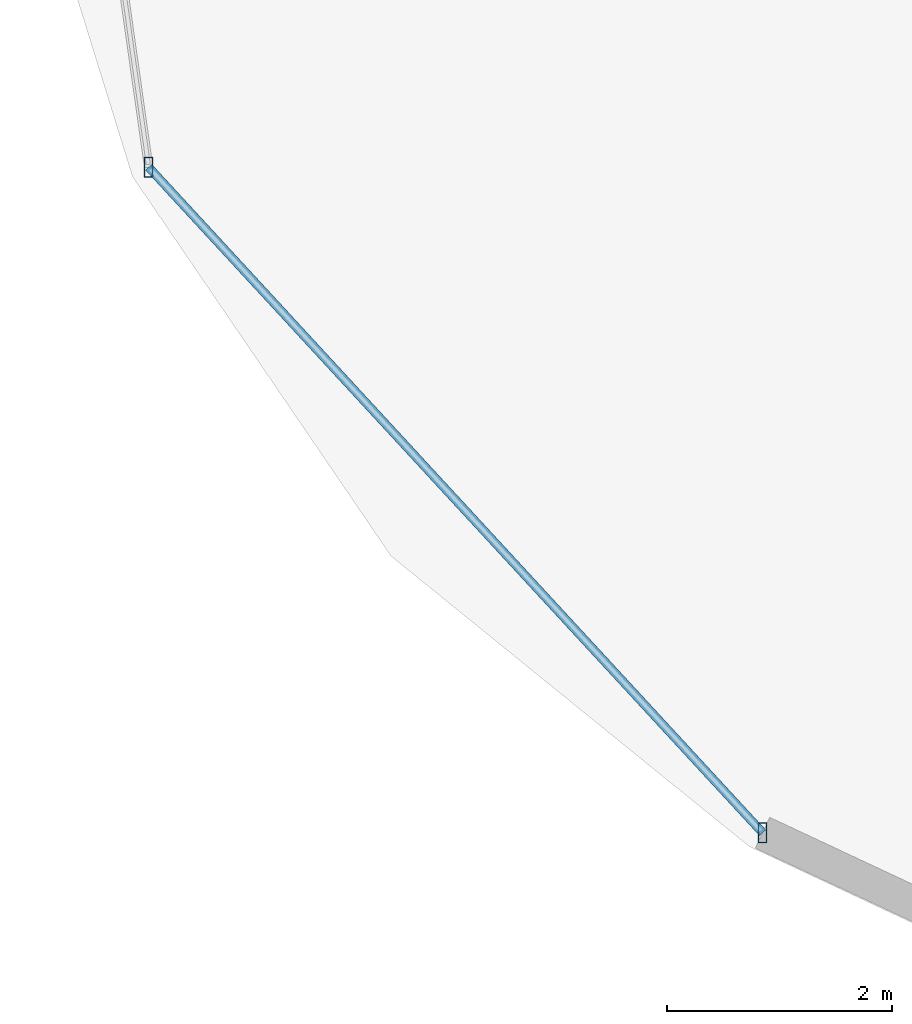
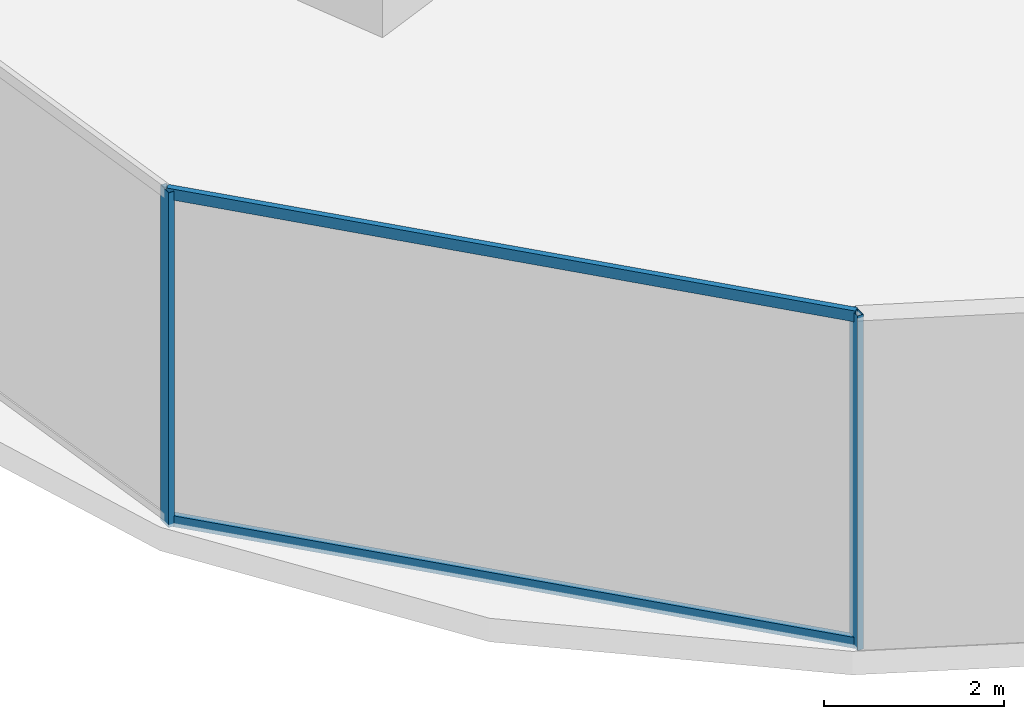
# One storey, part 2 of 27: 4 members, 1 element without a shape of its own.
"""IFC4 building model written with IfcOpenShell, lengths in metres."""

from ifc_helpers import new_model, si_unit, direction, frame, origin, origin_2d, place, context, subcontext, project, spatial, hollow_rectangle, extrude, material, material_profile, profile_set, type_object, element, aggregate, save


model = new_model("IFC4")

# Units and contexts
model_context = context("Model", 3, precision=1e-05, world=origin(), true_north=direction((0.0, 1.0)))
body_context = subcontext(model_context, "Body", "Model", "MODEL_VIEW")
ifc_project = project(units=[si_unit("LENGTHUNIT", "METRE"), si_unit("AREAUNIT", "SQUARE_METRE"), si_unit("VOLUMEUNIT", "CUBIC_METRE"), si_unit("PLANEANGLEUNIT", "RADIAN"), si_unit("MASSUNIT", "GRAM", prefix="KILO")], contexts=[model_context])

# Site, building, storey
site_placement = place(None, origin())
site = spatial("IfcSite", under=ifc_project, at=site_placement, CompositionType="ELEMENT")
building_placement = place(site_placement, origin())
building = spatial("IfcBuilding", under=site, at=building_placement, Name="Vorneva Point Tower", CompositionType="ELEMENT")
storey_placement = place(building_placement, frame((0.0, 0.0, 4.800048828125)))
storey = spatial("IfcBuildingStorey", under=building, at=storey_placement, Name="L01", CompositionType="ELEMENT", Elevation=4.800048828125)

# Curtain wall, members
ifc_material = material(Name="Pale anodised aluminium", Category="aluminium")
curtain_wall_type = type_object("IfcCurtainWallType", Name="CW-POD-SYS", PredefinedType="NOTDEFINED", material=ifc_material)
curtain_wall_placement = place(storey_placement, origin())
curtain_wall = element("IfcCurtainWall", 1, at=curtain_wall_placement, inside=storey, type_object=curtain_wall_type, Name="L01 Unitised Curtain Wall CW-L01-R03", PredefinedType="NOTDEFINED")
ifc_material_profile_1 = material_profile(ifc_material, hollow_rectangle(XDim=0.074951171875, YDim=0.179931640625, WallThickness=0.00390625, at=origin_2d()), Name="AL-MUL 180x75x4")
ifc_profile_set_1 = profile_set([ifc_material_profile_1], Name="Pale anodised aluminium")
member_type_1 = type_object("IfcMemberType", Name="CW-MUL-180", PredefinedType="MULLION", material=ifc_profile_set_1)
member_1_placement = place(storey_placement, frame((4.52880859375, 12.94287109375, -0.0400390625), z_axis=(0.0, 0.0, 1.0), x_axis=(1.0, 0.0, 0.0)))
member_1 = element("IfcMember", 2, at=member_1_placement, type_object=member_type_1, Name="CW-L01-R03 Mullion 03", PredefinedType="MULLION", context=body_context, shape_type="SweptSolid", body=[
    extrude(hollow_rectangle(XDim=0.074951171875, YDim=0.179931640625, WallThickness=0.00390625, at=origin_2d()), origin(), (0.0, 0.0, 1.0), 4.550048828125),
])
member_2_placement = place(storey_placement, frame((9.9775390625, 7.03662109375, -0.0400390625), z_axis=(0.0, 0.0, 1.0), x_axis=(1.0, 0.0, 0.0)))
member_2 = element("IfcMember", 3, at=member_2_placement, type_object=member_type_1, Name="CW-L01-R03 Mullion 04", PredefinedType="MULLION", context=body_context, shape_type="SweptSolid", body=[
    extrude(hollow_rectangle(XDim=0.074951171875, YDim=0.179931640625, WallThickness=0.00390625, at=origin_2d()), origin(), (0.0, 0.0, 1.0), 4.550048828125),
])
ifc_material_profile_2 = material_profile(ifc_material, hollow_rectangle(XDim=0.074951171875, YDim=0.14990234375, WallThickness=0.00390625, at=origin_2d()), Name="AL-TRN 150x75x4")
ifc_profile_set_2 = profile_set([ifc_material_profile_2], Name="Pale anodised aluminium")
member_type_2 = type_object("IfcMemberType", Name="CW-TRN-150", PredefinedType="USERDEFINED", material=ifc_profile_set_2)
member_3_placement = place(storey_placement, frame((4.52880859375, 12.94287109375, 0.02001953125), z_axis=(0.678065555529, -0.735001430207, 0.0), x_axis=(0.735001430207, 0.678065555529, 0.0)))
member_3 = element("IfcMember", 4, at=member_3_placement, type_object=member_type_2, Name="CW-L01-R03 Transom 03.1", ObjectType="TRANSOM", PredefinedType="USERDEFINED", context=body_context, shape_type="SweptSolid", body=[
    extrude(hollow_rectangle(XDim=0.074951171875, YDim=0.14990234375, WallThickness=0.00390625, at=origin_2d()), origin(), (0.0, 0.0, 1.0), 8.03564453125),
])
member_4_placement = place(storey_placement, frame((4.52880859375, 12.94287109375, 4.4599609375), z_axis=(0.678065555529, -0.735001430207, 0.0), x_axis=(0.735001430207, 0.678065555529, 0.0)))
member_4 = element("IfcMember", 5, at=member_4_placement, type_object=member_type_2, Name="CW-L01-R03 Transom 03.2", ObjectType="TRANSOM", PredefinedType="USERDEFINED", context=body_context, shape_type="SweptSolid", body=[
    extrude(hollow_rectangle(XDim=0.074951171875, YDim=0.14990234375, WallThickness=0.00390625, at=origin_2d()), origin(), (0.0, 0.0, 1.0), 8.03564453125),
])
aggregate(curtain_wall, [member_1, member_2, member_3, member_4])

save(model, "model.ifc")
